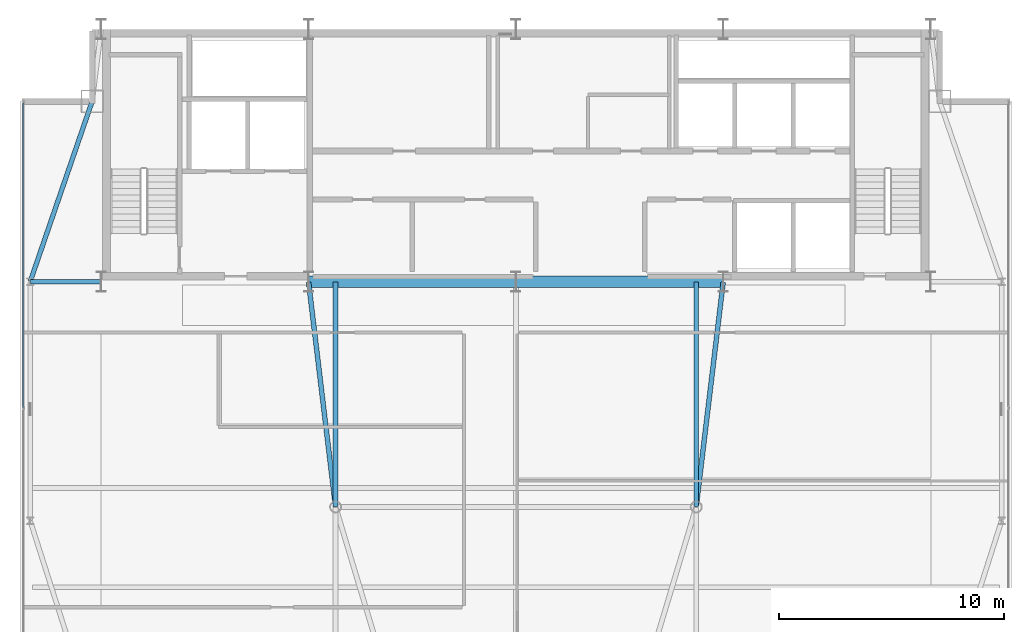
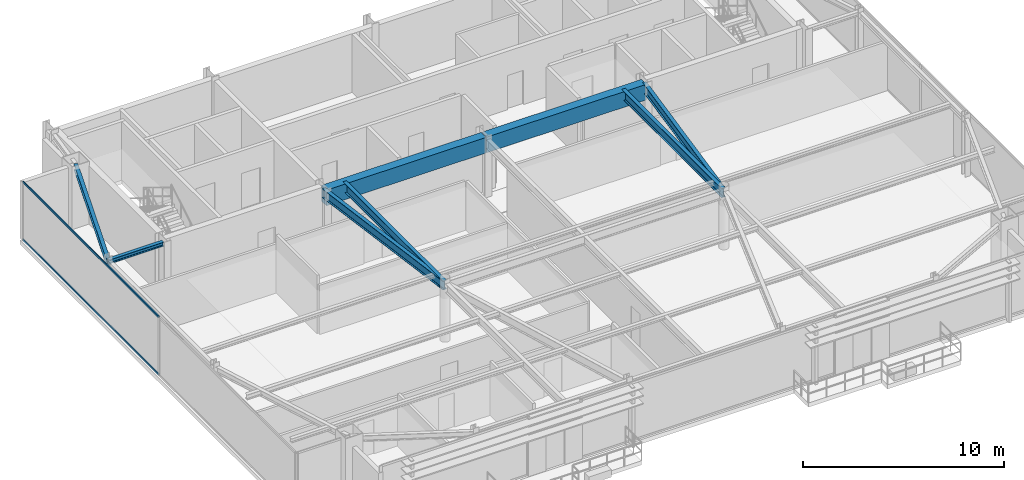
# One storey, part 10 of 24: 8 beams, 2 members, 1 element without a shape of its own.
"""IFC4 building model written with IfcOpenShell, lengths in metres."""

from ifc_helpers import new_model, si_unit, direction, frame, origin, origin_2d, place, context, subcontext, project, spatial, rectangle, hollow_rectangle, i_section, extrude, source, transform, mapped, material, layer, layer_set, material_profile, profile_set, type_object, type_shapes, element, aggregate, save


model = new_model("IFC4")

# Units and contexts
model_context = context("Model", 3, precision=1e-05, world=origin(), true_north=direction((0.0, 1.0)))
body_context = subcontext(model_context, "Body", "Model", "MODEL_VIEW")
ifc_project = project(units=[si_unit("LENGTHUNIT", "METRE"), si_unit("AREAUNIT", "SQUARE_METRE"), si_unit("VOLUMEUNIT", "CUBIC_METRE"), si_unit("PLANEANGLEUNIT", "RADIAN"), si_unit("MASSUNIT", "GRAM", prefix="KILO")], contexts=[model_context])

# Site, building, storey
site_placement = place(None, origin())
site = spatial("IfcSite", under=ifc_project, at=site_placement, CompositionType="ELEMENT")
building_placement = place(site_placement, origin())
building = spatial("IfcBuilding", under=site, at=building_placement, Name="Varnel Quay Broadcast Tower", CompositionType="ELEMENT")
storey_placement = place(building_placement, frame((0.0, 0.0, 281.199951171875)))
storey = spatial("IfcBuildingStorey", under=building, at=storey_placement, Name="L70", CompositionType="ELEMENT", Elevation=281.199951171875)

# Beams
ifc_material_1 = material(Name="Concrete CSA A23.3 C50/60", Category="concrete")
ifc_material_profile_1 = material_profile(ifc_material_1, rectangle(XDim=0.5, YDim=0.949951171875, at=origin_2d()), Name="RC500X950")
ifc_profile_set_1 = profile_set([ifc_material_profile_1], Name="Concrete CSA A23.3 C50/60")
beam_type_1 = type_object("IfcBeamType", Name="Beam_RC500X950", PredefinedType="BEAM", material=ifc_profile_set_1)
shared_shape_1 = source(origin(), body_context, "Body", "SweptSolid", [
    extrude(rectangle(XDim=0.5, YDim=0.949951171875, at=origin_2d()), origin(), (0.0, 0.0, 1.0), 9.159912109375),
])
type_shapes(beam_type_1, [shared_shape_1])
for number, where, z_axis, x_axis, name in (
    (1, (24.820068359375, 35.60009765625, 3.074951171875), (1.0, 0.0, 0.0), (0.0, 1.0, 0.0), "L70 Core Coupling Beam W"),
    (2, (34.02001953125, 35.60009765625, 3.074951171875), (1.0, 0.0, 0.0), (0.0, 1.0, 0.0), "L70 Core Coupling Beam E"),
):
    element("IfcBeam", number, at=place(storey_placement, frame(where, z_axis=z_axis, x_axis=x_axis)), inside=storey, type_object=beam_type_1, Name=name, PredefinedType="BEAM", context=body_context, shape_type="MappedRepresentation", body=[
        mapped(shared_shape_1, transform((0.0, 0.0, 0.0), x_axis=(1.0, 0.0, 0.0), y_axis=(0.0, 1.0, 0.0), z_axis=(0.0, 0.0, 1.0), scale=1.0)),
    ])
ifc_material_2 = material(Name="Structural Steel CSA G40.21 350W", Category="steel")
ifc_material_profile_2 = material_profile(ifc_material_2, i_section(OverallWidth=0.205078125, OverallDepth=0.35400390625, WebThickness=0.009521484375, FlangeThickness=0.016845703125, FilletRadius=0.012939453125, at=origin_2d()), Name="W360X79")
ifc_profile_set_2 = profile_set([ifc_material_profile_2], Name="Structural Steel CSA G40.21 350W")
beam_type_2 = type_object("IfcBeamType", Name="Beam_W360X79", PredefinedType="SPANDREL", material=ifc_profile_set_2)
shared_shape_2 = source(origin(), body_context, "Body", "SweptSolid", [
    extrude(i_section(OverallWidth=0.205078125, OverallDepth=0.35400390625, WebThickness=0.009521484375, FlangeThickness=0.016845703125, FilletRadius=0.012939453125, at=origin_2d()), origin(), (0.0, 0.0, 1.0), 8.41943359375),
])
type_shapes(beam_type_2, [shared_shape_2])
beam_1_placement = place(storey_placement, frame((12.45654296875, 35.618896484375, 3.373046875), z_axis=(0.325087062108, 0.945684092099, 0.0), x_axis=(-0.945684092099, 0.325087062108, 0.0)))
element("IfcBeam", 3, at=beam_1_placement, inside=storey, type_object=beam_type_2, Name="L70 West Spandrel TC-W2-MC-NW", PredefinedType="SPANDREL", context=body_context, shape_type="MappedRepresentation", body=[
    mapped(shared_shape_2, transform((0.0, 0.0, 0.0), x_axis=(1.0, 0.0, 0.0), y_axis=(0.0, 1.0, 0.0), z_axis=(0.0, 0.0, 1.0), scale=1.0)),
])
ifc_material_profile_3 = material_profile(ifc_material_2, i_section(OverallWidth=0.2119140625, OverallDepth=0.5439453125, WebThickness=0.01318359375, FlangeThickness=0.021240234375, FilletRadius=0.013916015625, at=origin_2d()), Name="W530X123")
ifc_profile_set_3 = profile_set([ifc_material_profile_3], Name="Structural Steel CSA G40.21 350W")
beam_type_3 = type_object("IfcBeamType", Name="Girder_W530X123", PredefinedType="BEAM", material=ifc_profile_set_3)
shared_shape_3 = source(origin(), body_context, "Body", "SweptSolid", [
    extrude(i_section(OverallWidth=0.2119140625, OverallDepth=0.5439453125, WebThickness=0.01318359375, FlangeThickness=0.021240234375, FilletRadius=0.013916015625, at=origin_2d()), origin(), (0.0, 0.0, 1.0), 10.021728515625),
])
for number, where, z_axis, x_axis, name in (
    (4, (25.99755859375, 25.6298828125, 3.278076171875), (-0.119248005741, 0.992864498875, 0.0), (-0.992864498875, -0.119248005741, 0.0), "L70 Primary Girder IC-01-CC-S2"),
    (5, (42.00244140625, 25.6298828125, 3.278076171875), (0.119248005741, 0.992864498875, 0.0), (-0.992864498875, 0.119248005741, 0.0), "L70 Primary Girder IC-02-CC-S4"),
):
    element("IfcBeam", number, at=place(storey_placement, frame(where, z_axis=z_axis, x_axis=x_axis)), inside=storey, type_object=beam_type_3, Name=name, PredefinedType="BEAM", context=body_context, shape_type="MappedRepresentation", body=[
        mapped(shared_shape_3, transform((0.0, 0.0, 0.0), x_axis=(1.0, 0.0, 0.0), y_axis=(0.0, 1.0, 0.0), z_axis=(0.0, 0.0, 1.0), scale=1.0)),
    ])
shared_shape_4 = source(origin(), body_context, "Body", "SweptSolid", [
    extrude(i_section(OverallWidth=0.2119140625, OverallDepth=0.5439453125, WebThickness=0.01318359375, FlangeThickness=0.021240234375, FilletRadius=0.013916015625, at=origin_2d()), origin(), (0.0, 0.0, 1.0), 9.9501953125),
])
type_shapes(beam_type_3, [shared_shape_3, shared_shape_4])
for number, where, z_axis, x_axis, name in (
    (6, (26.0, 25.6298828125, 3.278076171875), (0.0, 1.0, 0.0), (-1.0, 0.0, 0.0), "L70 N-S Joist Header IC-01N"),
    (7, (42.0, 25.6298828125, 3.278076171875), (0.0, 1.0, 0.0), (-1.0, 0.0, 0.0), "L70 N-S Joist Header IC-02N"),
):
    element("IfcBeam", number, at=place(storey_placement, frame(where, z_axis=z_axis, x_axis=x_axis)), inside=storey, type_object=beam_type_3, Name=name, PredefinedType="BEAM", context=body_context, shape_type="MappedRepresentation", body=[
        mapped(shared_shape_4, transform((0.0, 0.0, 0.0), x_axis=(1.0, 0.0, 0.0), y_axis=(0.0, 1.0, 0.0), z_axis=(0.0, 0.0, 1.0), scale=1.0)),
    ])
ifc_material_profile_4 = material_profile(ifc_material_2, i_section(OverallWidth=0.201904296875, OverallDepth=0.2470703125, WebThickness=0.00732421875, FlangeThickness=0.010986328125, FilletRadius=0.010986328125, at=origin_2d()), Name="W250X49")
ifc_profile_set_4 = profile_set([ifc_material_profile_4], Name="Structural Steel CSA G40.21 350W")
beam_type_4 = type_object("IfcBeamType", Name="Beam_W250X49", PredefinedType="JOIST", material=ifc_profile_set_4)
shared_shape_5 = source(origin(), body_context, "Body", "SweptSolid", [
    extrude(i_section(OverallWidth=0.201904296875, OverallDepth=0.2470703125, WebThickness=0.00732421875, FlangeThickness=0.010986328125, FilletRadius=0.010986328125, at=origin_2d()), origin(), (0.0, 0.0, 1.0), 3.110107421875),
])
type_shapes(beam_type_4, [shared_shape_5])
beam_2_placement = place(storey_placement, frame((12.469970703125, 35.60009765625, 3.426513671875), z_axis=(1.0, 0.0, 0.0), x_axis=(0.0, 1.0, 0.0)))
element("IfcBeam", 8, at=beam_2_placement, inside=storey, type_object=beam_type_4, Name="L70 West Core Tie Joist", PredefinedType="JOIST", context=body_context, shape_type="MappedRepresentation", body=[
    mapped(shared_shape_5, transform((0.0, 0.0, 0.0), x_axis=(1.0, 0.0, 0.0), y_axis=(0.0, 1.0, 0.0), z_axis=(0.0, 0.0, 1.0), scale=1.0)),
])

# Curtain wall, members
ifc_material_3 = material(Name="Anodised Bronze Aluminium 6063-T6", Category="aluminium")
ifc_layer = layer(ifc_material_3, 0.18994140625, Name="Anodised Bronze Aluminium 6063-T6")
ifc_layer_set = layer_set([ifc_layer], Name="Anodised Bronze Aluminium 6063-T6")
curtain_wall_type = type_object("IfcCurtainWallType", Name="CW_UpperTower", PredefinedType="NOTDEFINED", material=ifc_layer_set)
curtain_wall_placement = place(storey_placement, origin())
curtain_wall = element("IfcCurtainWall", 9, at=curtain_wall_placement, inside=storey, type_object=curtain_wall_type, Name="L70 West Unitised Curtain Wall", PredefinedType="NOTDEFINED")
ifc_material_profile_5 = material_profile(ifc_material_3, hollow_rectangle(XDim=0.06005859375, YDim=0.125, WallThickness=0.0029296875, at=origin_2d()), Name="ALU60X125X3")
ifc_profile_set_5 = profile_set([ifc_material_profile_5], Name="Anodised Bronze Aluminium 6063-T6")
member_type = type_object("IfcMemberType", Name="Tran_CWS-03", PredefinedType="USERDEFINED", material=ifc_profile_set_5)
shared_shape_6 = source(origin(), body_context, "Body", "SweptSolid", [
    extrude(hollow_rectangle(XDim=0.06005859375, YDim=0.125, WallThickness=0.0029296875, at=origin_2d()), origin(), (0.0, 0.0, 1.0), 13.50244140625),
])
type_shapes(member_type, [shared_shape_6])
member_1_placement = place(storey_placement, frame((12.14990234375, 30.032470703125, 0.030029296875), z_axis=(0.0, 1.0, 0.0), x_axis=(-1.0, 0.0, 0.0)))
member_1 = element("IfcMember", 10, at=member_1_placement, type_object=member_type, Name="CWS-03 transom 2.1", ObjectType="TRANSOM", PredefinedType="USERDEFINED", context=body_context, shape_type="MappedRepresentation", body=[
    mapped(shared_shape_6, transform((0.0, 0.0, 0.0), x_axis=(1.0, 0.0, 0.0), y_axis=(0.0, 1.0, 0.0), z_axis=(0.0, 0.0, 1.0), scale=1.0)),
])
member_2_placement = place(storey_placement, frame((12.14990234375, 30.032470703125, 3.52001953125), z_axis=(0.0, 1.0, 0.0), x_axis=(-1.0, 0.0, 0.0)))
member_2 = element("IfcMember", 11, at=member_2_placement, type_object=member_type, Name="CWS-03 transom 2.2", ObjectType="TRANSOM", PredefinedType="USERDEFINED", context=body_context, shape_type="MappedRepresentation", body=[
    mapped(shared_shape_6, transform((0.0, 0.0, 0.0), x_axis=(1.0, 0.0, 0.0), y_axis=(0.0, 1.0, 0.0), z_axis=(0.0, 0.0, 1.0), scale=1.0)),
])
aggregate(curtain_wall, [member_1, member_2])

save(model, "model.ifc")
